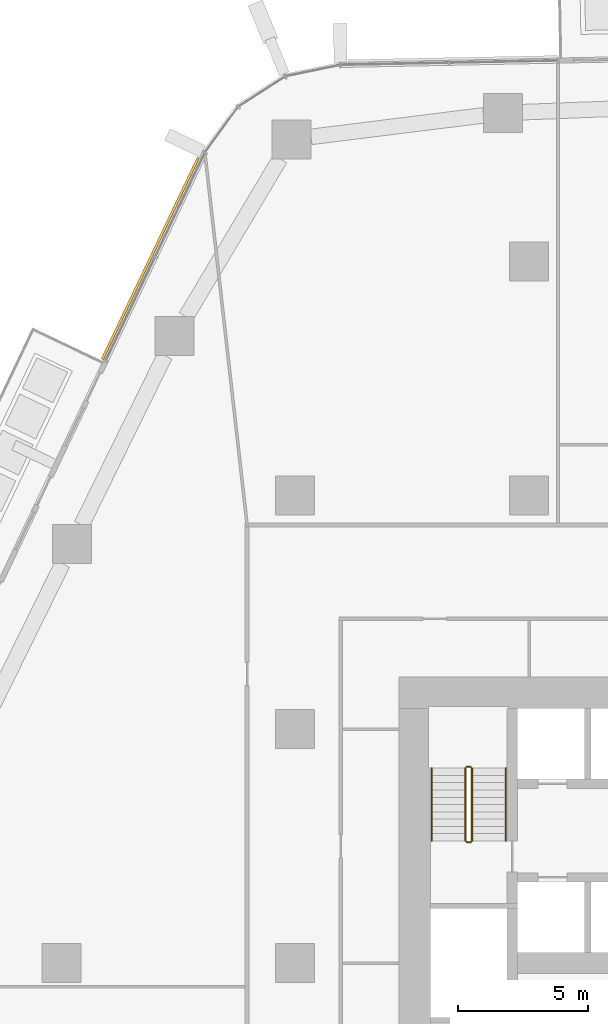
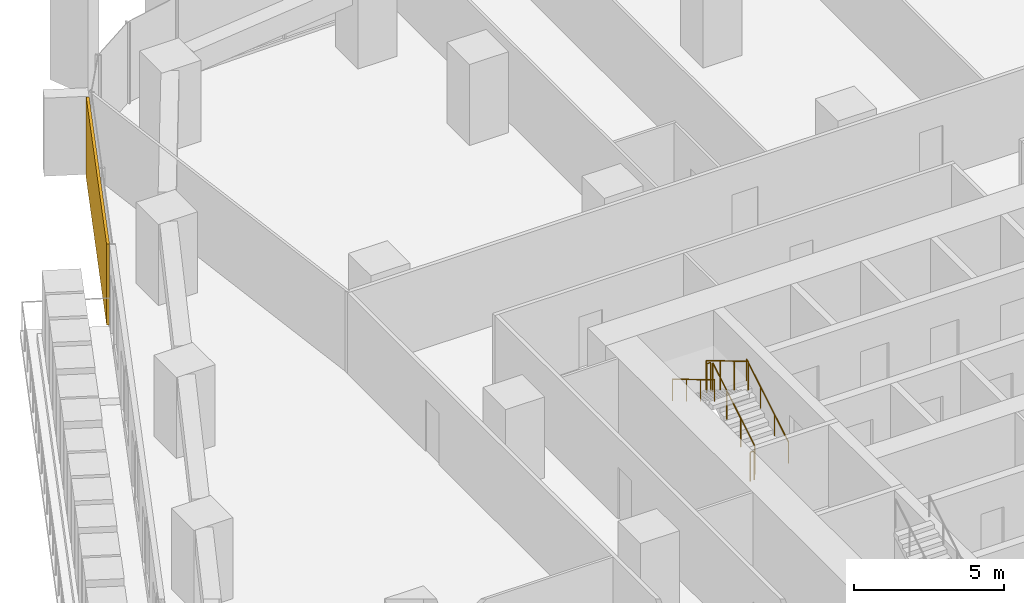
# One storey, part 22 of 24: 6 railings, 1 covering, 1 element without a shape of its own.
"""IFC4 building model written with IfcOpenShell, lengths in metres."""

from ifc_helpers import new_model, si_unit, direction, frame, origin, origin_2d, place, context, subcontext, project, spatial, rectangle, circle, extrude, material, layer, layer_set, type_object, element, aggregate, save


model = new_model("IFC4")

# Units and contexts
model_context = context("Model", 3, precision=1e-05, world=origin(), true_north=direction((0.0, 1.0)))
body_context = subcontext(model_context, "Body", "Model", "MODEL_VIEW")
ifc_project = project(units=[si_unit("LENGTHUNIT", "METRE"), si_unit("AREAUNIT", "SQUARE_METRE"), si_unit("VOLUMEUNIT", "CUBIC_METRE"), si_unit("PLANEANGLEUNIT", "RADIAN"), si_unit("MASSUNIT", "GRAM", prefix="KILO")], contexts=[model_context])

# Site, building, storey
site_placement = place(None, origin())
site = spatial("IfcSite", under=ifc_project, at=site_placement, CompositionType="ELEMENT")
building_placement = place(site_placement, origin())
building = spatial("IfcBuilding", under=site, at=building_placement, Name="Dongbaek Canopy Tower", CompositionType="ELEMENT")
storey_placement = place(building_placement, frame((0.0, 0.0, 44.0)))
storey = spatial("IfcBuildingStorey", under=building, at=storey_placement, Name="L06", CompositionType="ELEMENT", Elevation=44.0)

# Curtain wall, covering
ifc_material_1 = material(Name="Aluminium 6063-T6 pale anodised", Category="aluminium")
ifc_layer_1 = layer(ifc_material_1, 0.199951171875)
ifc_layer_set_1 = layer_set([ifc_layer_1], Name="CW-1 unitised tower curtain wall")
curtain_wall_type = type_object("IfcCurtainWallType", Name="CW-1 unitised tower curtain wall", PredefinedType="NOTDEFINED", material=ifc_layer_set_1)
curtain_wall_placement = place(storey_placement, origin())
curtain_wall = element("IfcCurtainWall", 1, at=curtain_wall_placement, inside=storey, type_object=curtain_wall_type, Name="CW-1 curtain wall F2.1", PredefinedType="NOTDEFINED")
ifc_material_2 = material(Name="Perforated aluminium 6063-T6 pale metal screen", Category="aluminium")
ifc_layer_2 = layer(ifc_material_2, 0.10009765625)
ifc_layer_set_2 = layer_set([ifc_layer_2], Name="Facet screen FS1 100 pale metal")
covering_type = type_object("IfcCoveringType", Name="Facet screen FS1 100 pale metal", PredefinedType="CLADDING", material=ifc_layer_set_2)
covering_placement = place(storey_placement, frame((-23.57958984375, 27.111083984375, 0.0), z_axis=(0.0, 0.0, 1.0), x_axis=(-0.429789468049, -0.902929129641, 0.0)))
covering = element("IfcCovering", 2, at=covering_placement, type_object=covering_type, Name="Facet screen L06 F2", PredefinedType="CLADDING", context=body_context, shape_type="SweptSolid", body=[
    extrude(rectangle(XDim=8.594970703125, YDim=0.10009765625, at=origin_2d()), origin(), (0.0, 0.0, 1.0), 3.300048828125),
])
aggregate(curtain_wall, [covering])

# Railings
ifc_material_3 = material(Name="Stainless steel tube and balusters", Category="steel")
railing_type_1 = type_object("IfcRailingType", Name="Stair guard 1200", PredefinedType="GUARDRAIL", material=ifc_material_3)
railing_1_placement = place(storey_placement, frame((-11.199951171875, 4.699951171875, 0.168212890625)))
element("IfcRailing", 3, at=railing_1_placement, inside=storey, type_object=railing_type_1, Name="L06 ST-C stair guard 1", PredefinedType="GUARDRAIL", context=body_context, shape_type="SweptSolid", body=[
    extrude(circle(Radius=0.02392578125, at=origin_2d()), frame((0.0, 0.0, 1.17578125), z_axis=(0.0, 0.857242210791, 0.514913383045), x_axis=(-1.0, 0.0, 0.0)), (0.0, 0.0, 1.0), 3.266357421875),
    extrude(circle(Radius=0.02099609375, at=origin_2d()), origin(), (0.0, 0.0, 1.0), 1.15185546875),
    extrude(circle(Radius=0.02099609375, at=origin_2d()), frame((0.0, 0.933349609375, 0.560546875)), (0.0, 0.0, 1.0), 1.15185546875),
    extrude(circle(Radius=0.02099609375, at=origin_2d()), frame((0.0, 1.86669921875, 1.121337890625)), (0.0, 0.0, 1.0), 1.15185546875),
    extrude(circle(Radius=0.02099609375, at=origin_2d()), frame((0.0, 2.800048828125, 1.681884765625)), (0.0, 0.0, 1.0), 1.15185546875),
])
railing_2_placement = place(storey_placement, frame((-11.25, 7.550048828125, 1.85009765625)))
element("IfcRailing", 4, at=railing_2_placement, inside=storey, type_object=railing_type_1, Name="L06 ST-C stair guard 2", PredefinedType="GUARDRAIL", context=body_context, shape_type="SweptSolid", body=[
    extrude(circle(Radius=0.02392578125, at=origin_2d()), frame((0.0, 0.0, 1.17578125), z_axis=(-1.0, 0.0, 0.0), x_axis=(0.0, -1.0, 0.0)), (0.0, 0.0, 1.0), 0.14990234375),
    extrude(circle(Radius=0.02099609375, at=origin_2d()), origin(), (0.0, 0.0, 1.0), 1.15185546875),
    extrude(circle(Radius=0.02099609375, at=origin_2d()), frame((-0.14990234375, 0.0, 0.0)), (0.0, 0.0, 1.0), 1.15185546875),
])
railing_3_placement = place(storey_placement, frame((-11.449951171875, 7.5, 2.01806640625)))
element("IfcRailing", 5, at=railing_3_placement, inside=storey, type_object=railing_type_1, Name="L06 ST-C stair guard 3", PredefinedType="GUARDRAIL", context=body_context, shape_type="SweptSolid", body=[
    extrude(circle(Radius=0.02392578125, at=origin_2d()), frame((0.0, 0.0, 1.17578125), z_axis=(0.0, -0.857242210791, 0.514913383045), x_axis=(1.0, 0.0, 0.0)), (0.0, 0.0, 1.0), 3.266357421875),
    extrude(circle(Radius=0.02099609375, at=origin_2d()), origin(), (0.0, 0.0, 1.0), 1.15185546875),
    extrude(circle(Radius=0.02099609375, at=origin_2d()), frame((0.0, -0.933349609375, 0.560546875)), (0.0, 0.0, 1.0), 1.15185546875),
    extrude(circle(Radius=0.02099609375, at=origin_2d()), frame((0.0, -1.86669921875, 1.121337890625)), (0.0, 0.0, 1.0), 1.15185546875),
    extrude(circle(Radius=0.02099609375, at=origin_2d()), frame((0.0, -2.800048828125, 1.681884765625)), (0.0, 0.0, 1.0), 1.15185546875),
])
railing_4_placement = place(storey_placement, frame((-11.25, 4.64990234375, 0.0)))
element("IfcRailing", 6, at=railing_4_placement, inside=storey, type_object=railing_type_1, Name="L06 ST-C stair guard 4", PredefinedType="GUARDRAIL", context=body_context, shape_type="SweptSolid", body=[
    extrude(circle(Radius=0.02392578125, at=origin_2d()), frame((0.0, 0.0, 1.17578125), z_axis=(-1.0, 0.0, 0.0), x_axis=(0.0, -1.0, 0.0)), (0.0, 0.0, 1.0), 0.14990234375),
    extrude(circle(Radius=0.02099609375, at=origin_2d()), origin(), (0.0, 0.0, 1.0), 1.15185546875),
    extrude(circle(Radius=0.02099609375, at=origin_2d()), frame((-0.14990234375, 0.0, 0.0)), (0.0, 0.0, 1.0), 1.15185546875),
])
ifc_material_4 = material(Name="Stainless steel tube", Category="steel")
railing_type_2 = type_object("IfcRailingType", Name="Stair handrail 900", PredefinedType="HANDRAIL", material=ifc_material_4)
railing_5_placement = place(storey_placement, frame((-9.89990234375, 4.699951171875, 0.168212890625)))
element("IfcRailing", 7, at=railing_5_placement, inside=storey, type_object=railing_type_2, Name="L06 ST-C stair handrail 1", PredefinedType="HANDRAIL", context=body_context, shape_type="SweptSolid", body=[
    extrude(circle(Radius=0.02392578125, at=origin_2d()), frame((0.0, 0.0, 0.8759765625), z_axis=(0.0, 0.857242210791, 0.514913383045), x_axis=(-1.0, 0.0, 0.0)), (0.0, 0.0, 1.0), 3.266357421875),
    extrude(circle(Radius=0.02099609375, at=origin_2d()), origin(), (0.0, 0.0, 1.0), 0.851806640625),
    extrude(circle(Radius=0.02099609375, at=origin_2d()), frame((0.0, 0.933349609375, 0.560546875)), (0.0, 0.0, 1.0), 0.851806640625),
    extrude(circle(Radius=0.02099609375, at=origin_2d()), frame((0.0, 1.86669921875, 1.121337890625)), (0.0, 0.0, 1.0), 0.851806640625),
    extrude(circle(Radius=0.02099609375, at=origin_2d()), frame((0.0, 2.800048828125, 1.681884765625)), (0.0, 0.0, 1.0), 0.851806640625),
])
railing_6_placement = place(storey_placement, frame((-12.75, 7.5, 2.01806640625)))
element("IfcRailing", 8, at=railing_6_placement, inside=storey, type_object=railing_type_2, Name="L06 ST-C stair handrail 2", PredefinedType="HANDRAIL", context=body_context, shape_type="SweptSolid", body=[
    extrude(circle(Radius=0.02392578125, at=origin_2d()), frame((0.0, 0.0, 0.8759765625), z_axis=(0.0, -0.857242210791, 0.514913383045), x_axis=(1.0, 0.0, 0.0)), (0.0, 0.0, 1.0), 3.266357421875),
    extrude(circle(Radius=0.02099609375, at=origin_2d()), origin(), (0.0, 0.0, 1.0), 0.851806640625),
    extrude(circle(Radius=0.02099609375, at=origin_2d()), frame((0.0, -0.933349609375, 0.560546875)), (0.0, 0.0, 1.0), 0.851806640625),
    extrude(circle(Radius=0.02099609375, at=origin_2d()), frame((0.0, -1.86669921875, 1.121337890625)), (0.0, 0.0, 1.0), 0.851806640625),
    extrude(circle(Radius=0.02099609375, at=origin_2d()), frame((0.0, -2.800048828125, 1.681884765625)), (0.0, 0.0, 1.0), 0.851806640625),
])

save(model, "model.ifc")
